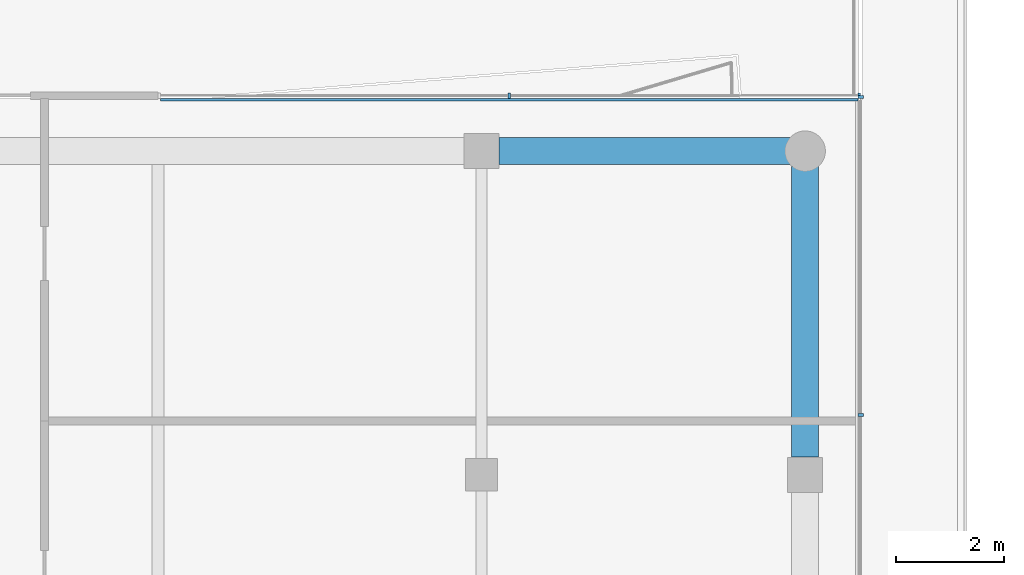
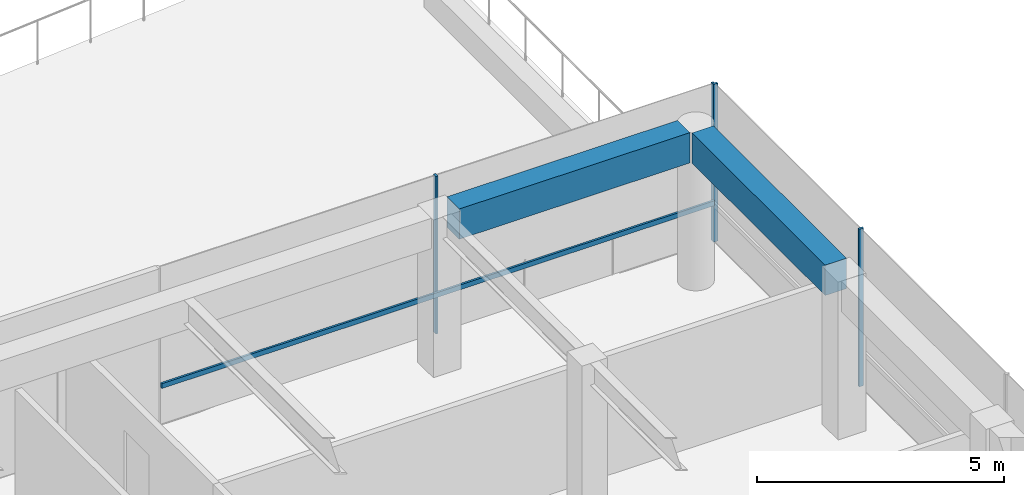
# One storey, part 14 of 20: 5 members, 2 beams, 2 elements without a shape of their own.
"""IFC4 building model written with IfcOpenShell, lengths in metres."""

from ifc_helpers import new_model, si_unit, direction, frame, origin, origin_2d, place, context, subcontext, project, spatial, rectangle, extrude, material, layer, layer_set, material_profile, profile_set, type_object, element, aggregate, save


model = new_model("IFC4")

# Units and contexts
model_context = context("Model", 3, precision=1e-05, world=origin(), true_north=direction((0.0, 1.0)))
body_context = subcontext(model_context, "Body", "Model", "MODEL_VIEW")
ifc_project = project(units=[si_unit("LENGTHUNIT", "METRE"), si_unit("AREAUNIT", "SQUARE_METRE"), si_unit("VOLUMEUNIT", "CUBIC_METRE"), si_unit("PLANEANGLEUNIT", "RADIAN"), si_unit("MASSUNIT", "GRAM", prefix="KILO")], contexts=[model_context])

# Site, building, storey
site_placement = place(None, origin())
site = spatial("IfcSite", under=ifc_project, at=site_placement, CompositionType="ELEMENT")
building_placement = place(site_placement, origin())
building = spatial("IfcBuilding", under=site, at=building_placement, Name="Welwitschia Terrace Campus", CompositionType="ELEMENT")
storey_placement = place(building_placement, frame((0.0, 0.0, 314.60009765625)))
storey = spatial("IfcBuildingStorey", under=building, at=storey_placement, Name="L70", CompositionType="ELEMENT", Elevation=314.60009765625)

# Curtain wall, members
ifc_material_1 = material(Name="Bronze anodised aluminium", Category="aluminium")
ifc_layer = layer(ifc_material_1, 0.10009765625)
ifc_layer_set = layer_set([ifc_layer], Name="Bronze anodised aluminium")
curtain_wall_type = type_object("IfcCurtainWallType", Name="Curtain wall CW5 crown 6000", PredefinedType="NOTDEFINED", material=ifc_layer_set)
curtain_wall_1_placement = place(storey_placement, origin())
curtain_wall_1 = element("IfcCurtainWall", 1, at=curtain_wall_1_placement, inside=storey, type_object=curtain_wall_type, Name="CW L70.5.0", PredefinedType="NOTDEFINED")
ifc_material_2 = material(Name="Bronze anodised aluminium", Category="aluminium")
ifc_material_profile_1 = material_profile(ifc_material_2, rectangle(XDim=0.10009765625, YDim=0.050048828125, at=origin_2d()))
ifc_profile_set_1 = profile_set([ifc_material_profile_1], Name="Bronze anodised aluminium")
member_type_1 = type_object("IfcMemberType", Name="Mullion 50x100", PredefinedType="MULLION", material=ifc_profile_set_1)
member_1_placement = place(storey_placement, frame((25.030029296875, 45.1064453125, 0.0), z_axis=(0.0, 0.0, 1.0), x_axis=(-1.0, 0.0, 0.0)))
member_1 = element("IfcMember", 2, at=member_1_placement, type_object=member_type_1, Name="Mullion L70.5.0.4", PredefinedType="MULLION", context=body_context, shape_type="SweptSolid", body=[
    extrude(rectangle(XDim=0.10009765625, YDim=0.050048828125, at=origin_2d()), origin(), (0.0, 0.0, 1.0), 3.89990234375),
])
member_2_placement = place(storey_placement, frame((25.030029296875, 51.0048828125, 0.0), z_axis=(0.0, 0.0, 1.0), x_axis=(-1.0, 0.0, 0.0)))
member_2 = element("IfcMember", 3, at=member_2_placement, type_object=member_type_1, Name="Mullion L70.5.0.5", PredefinedType="MULLION", context=body_context, shape_type="SweptSolid", body=[
    extrude(rectangle(XDim=0.10009765625, YDim=0.050048828125, at=origin_2d()), origin(), (0.0, 0.0, 1.0), 3.89990234375),
])
aggregate(curtain_wall_1, [member_1, member_2])

curtain_wall_2_placement = place(storey_placement, origin())
curtain_wall_2 = element("IfcCurtainWall", 4, at=curtain_wall_2_placement, inside=storey, type_object=curtain_wall_type, Name="CW L70.6.0", PredefinedType="NOTDEFINED")
member_3_placement = place(storey_placement, frame((25.0048828125, 51.030029296875, 0.0), z_axis=(0.0, 0.0, 1.0), x_axis=(0.0, -1.0, 0.0)))
member_3 = element("IfcMember", 5, at=member_3_placement, type_object=member_type_1, Name="Mullion L70.6.0.0", PredefinedType="MULLION", context=body_context, shape_type="SweptSolid", body=[
    extrude(rectangle(XDim=0.10009765625, YDim=0.050048828125, at=origin_2d()), origin(), (0.0, 0.0, 1.0), 3.89990234375),
])
member_4_placement = place(storey_placement, frame((18.514892578125, 51.030029296875, 0.0), z_axis=(0.0, 0.0, 1.0), x_axis=(0.0, -1.0, 0.0)))
member_4 = element("IfcMember", 6, at=member_4_placement, type_object=member_type_1, Name="Mullion L70.6.0.1", PredefinedType="MULLION", context=body_context, shape_type="SweptSolid", body=[
    extrude(rectangle(XDim=0.10009765625, YDim=0.050048828125, at=origin_2d()), origin(), (0.0, 0.0, 1.0), 3.89990234375),
])

# Beams
ifc_material_3 = material(Name="Concrete C40/50", Category="concrete")
ifc_material_profile_2 = material_profile(ifc_material_3, rectangle(XDim=0.5, YDim=0.75, at=origin_2d()))
ifc_profile_set_2 = profile_set([ifc_material_profile_2], Name="Concrete C40/50")
beam_type = type_object("IfcBeamType", Name="Ring spandrel 500x750", PredefinedType="SPANDREL", material=ifc_profile_set_2)
for number, where, z_axis, x_axis, name in (
    (7, (24.0, 44.325439453125, 3.52490234375), (0.0, 1.0, 0.0), (-1.0, 0.0, 0.0), "Spandrel SP5"),
    (8, (23.719482421875, 50.0, 3.52490234375), (-1.0, 0.0, 0.0), (0.0, -1.0, 0.0), "Spandrel SP5"),
):
    element("IfcBeam", number, at=place(storey_placement, frame(where, z_axis=z_axis, x_axis=x_axis)), inside=storey, type_object=beam_type, Name=name, PredefinedType="SPANDREL", context=body_context, shape_type="SweptSolid", body=[
        extrude(rectangle(XDim=0.5, YDim=0.75, at=origin_2d()), origin(), (0.0, 0.0, 1.0), 5.39404296875),
    ])

# Member
ifc_material_4 = material(Name="Bronze anodised aluminium", Category="aluminium")
ifc_material_profile_3 = material_profile(ifc_material_4, rectangle(XDim=0.050048828125, YDim=0.1201171875, at=origin_2d()))
ifc_profile_set_3 = profile_set([ifc_material_profile_3], Name="Bronze anodised aluminium")
member_type_2 = type_object("IfcMemberType", Name="Transom 50x120", PredefinedType="USERDEFINED", material=ifc_profile_set_3)
member_5_placement = place(storey_placement, frame((24.97998046875, 50.955078125, 1.0), z_axis=(-1.0, 0.0, 0.0), x_axis=(0.0, -1.0, 0.0)))
member_5 = element("IfcMember", 9, at=member_5_placement, type_object=member_type_2, Name="Transom L70.6.0", ObjectType="TRANSOM", PredefinedType="USERDEFINED", context=body_context, shape_type="SweptSolid", body=[
    extrude(rectangle(XDim=0.050048828125, YDim=0.1201171875, at=origin_2d()), origin(), (0.0, 0.0, 1.0), 12.929931640625),
])

aggregate(curtain_wall_2, [member_3, member_4, member_5])

save(model, "model.ifc")
